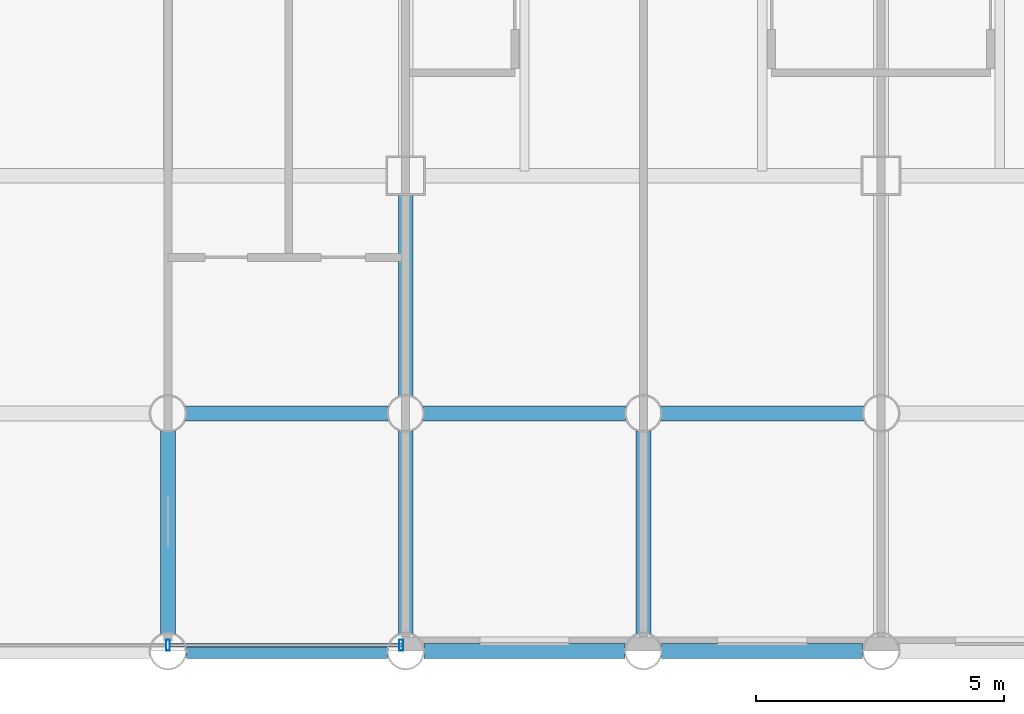
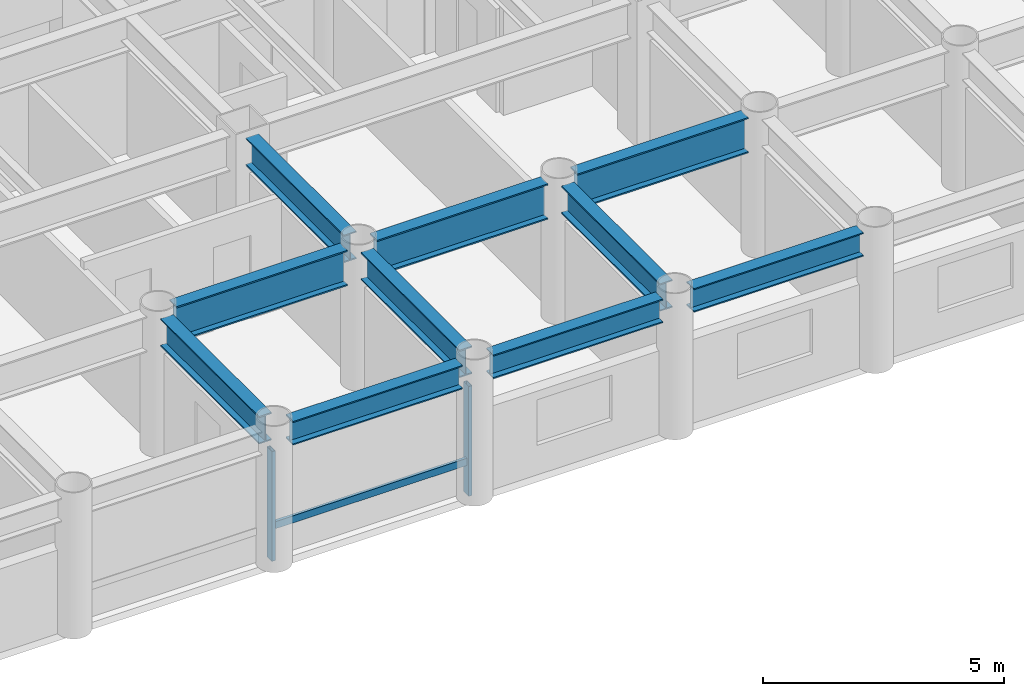
# One storey, part 6 of 22: 10 beams, 3 members, 1 element without a shape of its own.
"""IFC4 building model written with IfcOpenShell, lengths in metres."""

import ifcopenshell
import ifcopenshell.guid

model = None  # the IFC model being written
_history = None  # IfcOwnerHistory: only IFC2X3 demands one
_inside = {}  # id of a spatial element -> (the spatial element, [elements in it])
_under = {}  # id of a project, library or spatial element -> (it, [spatial elements below it])
_declared = {}  # id of a project -> (the project, [libraries it declares])
_typed = {}  # id of a type object -> (the type object, [elements of that type])
_made_of = {}  # id of a material, layer set ... -> (it, [elements and type objects made of it])


def new_model(schema):
    """Start an empty IFC model of exactly this schema.

    Asked for "IFC4X3", IfcOpenShell would pick the latest addendum, in which some entities
    have other attributes; the version numbers below select the first issue.
    IFC2X3 requires an IfcOwnerHistory on every rooted entity: one is made here for all.
    """
    global model, _history
    if schema == "IFC4X3":
        model = ifcopenshell.file(schema_version=(4, 3, 0, 0))
    else:
        model = ifcopenshell.file(schema=schema)
    _inside.clear()
    _under.clear()
    _declared.clear()
    _typed.clear()
    _made_of.clear()
    _history = None
    if model.schema == "IFC2X3":
        org = make("IfcOrganization", Name="unknown")
        user = make(
            "IfcPersonAndOrganization",
            ThePerson=make("IfcPerson", FamilyName="unknown"),
            TheOrganization=org,
        )
        app = make(
            "IfcApplication",
            ApplicationDeveloper=org,
            Version="unknown",
            ApplicationFullName="unknown",
            ApplicationIdentifier="unknown",
        )
        _history = make(
            "IfcOwnerHistory",
            OwningUser=user,
            OwningApplication=app,
            ChangeAction="ADDED",
            CreationDate=0,
        )
    return model


def make(cls, **values):
    """One entity of the class cls with the attributes given. An attribute that is None is left unset."""
    return model.create_entity(
        cls, **{name: value for name, value in values.items() if value is not None}
    )


def rooted(cls, **values):
    """An entity with a GlobalId (a new one), such as an element, a storey or a relation."""
    return make(cls, GlobalId=ifcopenshell.guid.new(), OwnerHistory=_history, **values)


def si_unit(unit_type, name, prefix=None):
    """IfcSIUnit, for example si_unit("LENGTHUNIT", "METRE", prefix="MILLI")."""
    return make("IfcSIUnit", UnitType=unit_type, Prefix=prefix, Name=name)


def assignment(units):
    """IfcUnitAssignment: the units of a project."""
    return None if units is None else make("IfcUnitAssignment", Units=units)


def point(xyz):
    """IfcCartesianPoint."""
    return None if xyz is None else make("IfcCartesianPoint", Coordinates=xyz)


def direction(xyz):
    """IfcDirection."""
    return None if xyz is None else make("IfcDirection", DirectionRatios=xyz)


def frame(location, z_axis=None, x_axis=None):
    """IfcAxis2Placement3D, a coordinate frame: its origin and axes. An axis left out is left unset."""
    return make(
        "IfcAxis2Placement3D",
        Location=point(location),
        Axis=direction(z_axis),
        RefDirection=direction(x_axis),
    )


def frame_2d(location, x_axis=None):
    """IfcAxis2Placement2D, a coordinate frame in the plane: its origin and x axis."""
    return make(
        "IfcAxis2Placement2D", Location=point(location), RefDirection=direction(x_axis)
    )


def origin():
    """The frame at (0, 0, 0) with its axes left unset."""
    return frame((0.0, 0.0, 0.0))


def origin_2d():
    """The frame at (0, 0) in the plane with its x axis left unset."""
    return frame_2d((0.0, 0.0))


def place(relative_to, where):
    """IfcLocalPlacement: puts the frame where relative to a parent placement (None: the world)."""
    return make(
        "IfcLocalPlacement", PlacementRelTo=relative_to, RelativePlacement=where
    )


def context(
    kind, dimensions, precision=None, world=None, true_north=None, identifier=None
):
    """IfcGeometricRepresentationContext, for example the 3D "Model" context."""
    return make(
        "IfcGeometricRepresentationContext",
        ContextIdentifier=identifier,
        ContextType=kind,
        CoordinateSpaceDimension=dimensions,
        Precision=precision,
        WorldCoordinateSystem=world,
        TrueNorth=true_north,
    )


def subcontext(parent, identifier, kind, view, scale=None):
    """IfcGeometricRepresentationSubContext, for example "Body" below "Model"."""
    return make(
        "IfcGeometricRepresentationSubContext",
        ContextIdentifier=identifier,
        ContextType=kind,
        ParentContext=parent,
        TargetScale=scale,
        TargetView=view,
    )


def project(units=None, contexts=None):
    """IfcProject with its units and contexts."""
    return rooted(
        "IfcProject",
        Name="project",
        RepresentationContexts=contexts,
        UnitsInContext=assignment(units),
    )


def spatial(cls, under=None, at=None, **own):
    """A site, building, storey or space (cls), placed at a placement, below another one or the project."""
    s = rooted(cls, ObjectPlacement=at, **own)
    if under is not None:
        _under.setdefault(under.id(), (under, []))[1].append(s)
    return s


def profile(cls, at=None, kind="AREA", **sizes):
    """A parametric profile (cls). Its sizes go by their IFC names, for example OverallWidth=200.0."""
    return make(cls, ProfileType=kind, Position=at, **sizes)


def hollow_rectangle(**sizes):
    """IfcRectangleHollowProfileDef."""
    return profile("IfcRectangleHollowProfileDef", **sizes)


def i_section(**sizes):
    """IfcIShapeProfileDef."""
    return profile("IfcIShapeProfileDef", **sizes)


def extrude(swept, where, along, depth):
    """IfcExtrudedAreaSolid: the profile swept, set in the frame where, extruded along a direction by depth."""
    return make(
        "IfcExtrudedAreaSolid",
        SweptArea=swept,
        Position=where,
        ExtrudedDirection=direction(along),
        Depth=depth,
    )


def shape(context_of_items, identifier, shape_type, items):
    """IfcShapeRepresentation: the items that make up one representation, for example the "Body"."""
    return make(
        "IfcShapeRepresentation",
        ContextOfItems=context_of_items,
        RepresentationIdentifier=identifier,
        RepresentationType=shape_type,
        Items=items,
    )


def material(Name=None, Category=None):
    """IfcMaterial."""
    return make("IfcMaterial", Name=Name, Category=Category)


def layer(
    of_material, thickness, ventilated=None, Name=None, Category=None, Priority=None
):
    """IfcMaterialLayer: one layer of a wall or slab, of a material (None: an air gap)."""
    return make(
        "IfcMaterialLayer",
        Material=of_material,
        LayerThickness=thickness,
        IsVentilated=ventilated,
        Name=Name,
        Category=Category,
        Priority=Priority,
    )


def layer_set(layers, Name=None):
    """IfcMaterialLayerSet."""
    return make("IfcMaterialLayerSet", MaterialLayers=layers, LayerSetName=Name)


def material_profile(
    of_material, cross_section, Name=None, Category=None, Priority=None
):
    """IfcMaterialProfile: a cross section and its material."""
    return make(
        "IfcMaterialProfile",
        Name=Name,
        Material=of_material,
        Profile=cross_section,
        Priority=Priority,
        Category=Category,
    )


def profile_set(profiles, Name=None, composite=None):
    """IfcMaterialProfileSet."""
    return make(
        "IfcMaterialProfileSet",
        Name=Name,
        MaterialProfiles=profiles,
        CompositeProfile=composite,
    )


def made_of(thing, what):
    """Note that an element or type object is made of a material, layer set ...; save() writes the relation."""
    if what is not None:
        _made_of.setdefault(what.id(), (what, []))[1].append(thing)
    return thing


def type_object(cls, material=None, **own):
    """A type object (cls), such as IfcWallType, which elements share."""
    return made_of(rooted(cls, **own), material)


def element(
    cls,
    number,
    at=None,
    inside=None,
    cuts=None,
    type_object=None,
    material=None,
    context=None,
    identifier="Body",
    shape_type=None,
    held_by="IfcProductDefinitionShape",
    body=None,
    shapes=None,
    **own,
):
    """One element of the class cls, such as IfcWall. Its Tag is "e" and its number.

    at: its placement. inside: the storey or other place that contains it. cuts: it is an
    opening in that element (IfcRelVoidsElement). A single representation is given by context,
    identifier, shape_type and body (its items); several are given by shapes. held_by: the class
    of the entity that holds the representations. save() writes the other relations.
    """
    e = rooted(cls, Tag="e%d" % number, ObjectPlacement=at, **own)
    if body is not None:
        shapes = [shape(context, identifier, shape_type, body)]
    if shapes is not None:
        e.Representation = make(held_by, Representations=shapes)
    if inside is not None:
        _inside.setdefault(inside.id(), (inside, []))[1].append(e)
    if cuts is not None:
        rooted(
            "IfcRelVoidsElement", RelatingBuildingElement=cuts, RelatedOpeningElement=e
        )
    if type_object is not None:
        _typed.setdefault(type_object.id(), (type_object, []))[1].append(e)
    return made_of(e, material)


def aggregate(whole, parts):
    """IfcRelAggregates: a whole, such as a stair, and the parts it consists of."""
    return rooted("IfcRelAggregates", RelatingObject=whole, RelatedObjects=parts)


def save(model, path):
    """Write the relations noted so far, then the file.

    IfcRelAggregates (storeys below a building ...), IfcRelContainedInSpatialStructure (elements
    in a storey), IfcRelDefinesByType, IfcRelAssociatesMaterial and IfcRelDeclares: one each for
    every whole, place, type object, material and project.
    """
    for whole, parts in _under.values():
        aggregate(whole, parts)
    for where, things in _inside.values():
        rooted(
            "IfcRelContainedInSpatialStructure",
            RelatedElements=things,
            RelatingStructure=where,
        )
    for kind, things in _typed.values():
        rooted("IfcRelDefinesByType", RelatedObjects=things, RelatingType=kind)
    for what, things in _made_of.values():
        rooted("IfcRelAssociatesMaterial", RelatedObjects=things, RelatingMaterial=what)
    for by, libraries in _declared.values():
        rooted("IfcRelDeclares", RelatingContext=by, RelatedDefinitions=libraries)
    model.write(path)


model = new_model("IFC4")

# Units and contexts
model_context = context("Model", 3, precision=1e-05, world=origin(), true_north=direction((0.0, 1.0)))
body_context = subcontext(model_context, "Body", "Model", "MODEL_VIEW")
ifc_project = project(units=[si_unit("LENGTHUNIT", "METRE"), si_unit("AREAUNIT", "SQUARE_METRE"), si_unit("VOLUMEUNIT", "CUBIC_METRE"), si_unit("PLANEANGLEUNIT", "RADIAN"), si_unit("MASSUNIT", "GRAM", prefix="KILO")], contexts=[model_context])

# Site, building, storey
site_placement = place(None, origin())
site = spatial("IfcSite", under=ifc_project, at=site_placement, CompositionType="ELEMENT")
building_placement = place(site_placement, origin())
building = spatial("IfcBuilding", under=site, at=building_placement, Name="Kallvorn Hotel Tower", CompositionType="ELEMENT")
storey_placement = place(building_placement, frame((0.0, 0.0, 48.5)))
storey = spatial("IfcBuildingStorey", under=building, at=storey_placement, Name="L10", CompositionType="ELEMENT", Elevation=48.5)

# Beams
ifc_material_1 = material(Name="Structural steel S355JR", Category="steel")
ifc_material_profile_1 = material_profile(ifc_material_1, i_section(OverallWidth=0.300048828125, OverallDepth=0.60009765625, WebThickness=0.015380859375, FlangeThickness=0.030029296875, at=origin_2d()), Name="HE 600 B")
ifc_profile_set_1 = profile_set([ifc_material_profile_1], Name="Structural steel S355JR")
beam_type_1 = type_object("IfcBeamType", Name="BM_HE600B", PredefinedType="SPANDREL", material=ifc_profile_set_1)
beam_1_placement = place(storey_placement, frame((0.37109375, -24.0, 3.219970703125), z_axis=(1.0, 0.0, 0.0), x_axis=(0.0, 1.0, 0.0)))
element("IfcBeam", 1, at=beam_1_placement, inside=storey, type_object=beam_type_1, Name="L11 Perimeter Spandrel 157", PredefinedType="SPANDREL", context=body_context, shape_type="SweptSolid", body=[
    extrude(i_section(OverallWidth=0.300048828125, OverallDepth=0.60009765625, WebThickness=0.015380859375, FlangeThickness=0.030029296875, at=origin_2d()), origin(), (0.0, 0.0, 1.0), 4.057861328125),
])
for number, where, z_axis, x_axis, name in (
    (2, (5.1708984375, -24.0, 3.219970703125), (1.0, 0.0, 0.0), (0.0, 1.0, 0.0), "L11 Perimeter Spandrel 158"),
    (3, (9.970947265625, -24.0, 3.219970703125), (1.0, 0.0, 0.0), (0.0, 1.0, 0.0), "L11 Perimeter Spandrel 159"),
):
    element("IfcBeam", number, at=place(storey_placement, frame(where, z_axis=z_axis, x_axis=x_axis)), inside=storey, type_object=beam_type_1, Name=name, PredefinedType="SPANDREL", context=body_context, shape_type="SweptSolid", body=[
        extrude(i_section(OverallWidth=0.300048828125, OverallDepth=0.60009765625, WebThickness=0.015380859375, FlangeThickness=0.030029296875, at=origin_2d()), origin(), (0.0, 0.0, 1.0), 4.05810546875),
    ])
ifc_material_2 = material(Name="Structural steel S355JR", Category="steel")
ifc_material_profile_2 = material_profile(ifc_material_2, i_section(OverallWidth=0.300048828125, OverallDepth=0.699951171875, WebThickness=0.01708984375, FlangeThickness=0.031982421875, at=origin_2d()), Name="HE 700 B")
ifc_profile_set_2 = profile_set([ifc_material_profile_2], Name="Structural steel S355JR")
beam_type_2 = type_object("IfcBeamType", Name="BM_HE700B", PredefinedType="BEAM", material=ifc_profile_set_2)
for number, where, z_axis, x_axis, name in (
    (4, (0.0, -23.64404296875, 3.169921875), (0.0, 1.0, 0.0), (-1.0, 0.0, 0.0), "L11 Primary Y-Girder 111"),
    (5, (4.800048828125, -23.64404296875, 3.169921875), (0.0, 1.0, 0.0), (-1.0, 0.0, 0.0), "L11 Primary Y-Girder 114"),
):
    element("IfcBeam", number, at=place(storey_placement, frame(where, z_axis=z_axis, x_axis=x_axis)), inside=storey, type_object=beam_type_2, Name=name, PredefinedType="BEAM", context=body_context, shape_type="SweptSolid", body=[
        extrude(i_section(OverallWidth=0.300048828125, OverallDepth=0.699951171875, WebThickness=0.01708984375, FlangeThickness=0.031982421875, at=origin_2d()), origin(), (0.0, 0.0, 1.0), 4.088134765625),
    ])
beam_2_placement = place(storey_placement, frame((4.800048828125, -18.843994140625, 3.169921875), z_axis=(0.0, 1.0, 0.0), x_axis=(-1.0, 0.0, 0.0)))
element("IfcBeam", 6, at=beam_2_placement, inside=storey, type_object=beam_type_2, Name="L11 Primary Y-Girder 115", PredefinedType="BEAM", context=body_context, shape_type="SweptSolid", body=[
    extrude(i_section(OverallWidth=0.300048828125, OverallDepth=0.699951171875, WebThickness=0.01708984375, FlangeThickness=0.031982421875, at=origin_2d()), origin(), (0.0, 0.0, 1.0), 4.069091796875),
])
beam_3_placement = place(storey_placement, frame((9.60009765625, -23.64404296875, 3.169921875), z_axis=(0.0, 1.0, 0.0), x_axis=(-1.0, 0.0, 0.0)))
element("IfcBeam", 7, at=beam_3_placement, inside=storey, type_object=beam_type_2, Name="L11 Primary Y-Girder 119", PredefinedType="BEAM", context=body_context, shape_type="SweptSolid", body=[
    extrude(i_section(OverallWidth=0.300048828125, OverallDepth=0.699951171875, WebThickness=0.01708984375, FlangeThickness=0.031982421875, at=origin_2d()), origin(), (0.0, 0.0, 1.0), 4.088134765625),
])
ifc_material_3 = material(Name="Structural steel S355JR", Category="steel")
ifc_material_profile_3 = material_profile(ifc_material_3, i_section(OverallWidth=0.300048828125, OverallDepth=0.89990234375, WebThickness=0.0185546875, FlangeThickness=0.034912109375, at=origin_2d()), Name="HE 900 B")
ifc_profile_set_3 = profile_set([ifc_material_profile_3], Name="Structural steel S355JR")
beam_type_3 = type_object("IfcBeamType", Name="BM_HE900B", PredefinedType="BEAM", material=ifc_profile_set_3)
beam_4_placement = place(storey_placement, frame((0.35595703125, -19.199951171875, 3.070068359375), z_axis=(1.0, 0.0, 0.0), x_axis=(0.0, 1.0, 0.0)))
element("IfcBeam", 8, at=beam_4_placement, inside=storey, type_object=beam_type_3, Name="L11 Primary X-Girder 08", PredefinedType="BEAM", context=body_context, shape_type="SweptSolid", body=[
    extrude(i_section(OverallWidth=0.300048828125, OverallDepth=0.89990234375, WebThickness=0.0185546875, FlangeThickness=0.034912109375, at=origin_2d()), origin(), (0.0, 0.0, 1.0), 4.088134765625),
])
for number, where, z_axis, x_axis, name in (
    (9, (5.156005859375, -19.199951171875, 3.070068359375), (1.0, 0.0, 0.0), (0.0, 1.0, 0.0), "L11 Primary X-Girder 09"),
    (10, (9.9560546875, -19.199951171875, 3.070068359375), (1.0, 0.0, 0.0), (0.0, 1.0, 0.0), "L11 Primary X-Girder 10"),
):
    element("IfcBeam", number, at=place(storey_placement, frame(where, z_axis=z_axis, x_axis=x_axis)), inside=storey, type_object=beam_type_3, Name=name, PredefinedType="BEAM", context=body_context, shape_type="SweptSolid", body=[
        extrude(i_section(OverallWidth=0.300048828125, OverallDepth=0.89990234375, WebThickness=0.0185546875, FlangeThickness=0.034912109375, at=origin_2d()), origin(), (0.0, 0.0, 1.0), 4.087890625),
    ])

# Curtain wall, members
ifc_material_4 = material(Name="Thermally broken black-anodised aluminium AA 6063-T6", Category="aluminium")
ifc_layer = layer(ifc_material_4, 0.199951171875)
ifc_layer_set = layer_set([ifc_layer], Name="CW_SYS_3_HOTEL_LOW")
curtain_wall_type = type_object("IfcCurtainWallType", Name="CW_SYS_3_HOTEL_LOW", PredefinedType="USERDEFINED", material=ifc_layer_set)
curtain_wall_placement = place(storey_placement, origin())
curtain_wall = element("IfcCurtainWall", 11, at=curtain_wall_placement, inside=storey, type_object=curtain_wall_type, Name="L10 Dark-Glass Curtain Wall CW-L10-SC", ObjectType="UNITISED CURTAIN WALL", PredefinedType="USERDEFINED")
ifc_material_5 = material(Name="Thermally broken black-anodised aluminium AA 6063-T6", Category="aluminium")
ifc_material_profile_4 = material_profile(ifc_material_5, hollow_rectangle(XDim=0.080078125, YDim=0.219970703125, WallThickness=0.0048828125, at=origin_2d()), Name="MUL 220x80")
ifc_profile_set_4 = profile_set([ifc_material_profile_4], Name="Thermally broken black-anodised aluminium AA 6063-T6")
member_type_1 = type_object("IfcMemberType", Name="CW_MULLION_220x80", PredefinedType="MULLION", material=ifc_profile_set_4)
member_1_placement = place(storey_placement, frame((0.0, -23.8798828125, 0.02001953125), z_axis=(0.0, 0.0, 1.0), x_axis=(1.0, 0.0, 0.0)))
member_1 = element("IfcMember", 12, at=member_1_placement, type_object=member_type_1, Name="CW-L10-SC Mullion 01", PredefinedType="MULLION", context=body_context, shape_type="SweptSolid", body=[
    extrude(hollow_rectangle(XDim=0.080078125, YDim=0.219970703125, WallThickness=0.0048828125, at=origin_2d()), origin(), (0.0, 0.0, 1.0), 2.780029296875),
])
member_2_placement = place(storey_placement, frame((4.7099609375, -23.8798828125, 0.02001953125), z_axis=(0.0, 0.0, 1.0), x_axis=(1.0, 0.0, 0.0)))
member_2 = element("IfcMember", 13, at=member_2_placement, type_object=member_type_1, Name="CW-L10-SC Mullion 02", PredefinedType="MULLION", context=body_context, shape_type="SweptSolid", body=[
    extrude(hollow_rectangle(XDim=0.080078125, YDim=0.219970703125, WallThickness=0.0048828125, at=origin_2d()), origin(), (0.0, 0.0, 1.0), 2.780029296875),
])
ifc_material_6 = material(Name="Thermally broken black-anodised aluminium AA 6063-T6", Category="aluminium")
ifc_material_profile_5 = material_profile(ifc_material_6, hollow_rectangle(XDim=0.070068359375, YDim=0.179931640625, WallThickness=0.00390625, at=origin_2d()), Name="TRN 180x70")
ifc_profile_set_5 = profile_set([ifc_material_profile_5], Name="Thermally broken black-anodised aluminium AA 6063-T6")
member_type_2 = type_object("IfcMemberType", Name="CW_TRANSOM_180x70", PredefinedType="USERDEFINED", material=ifc_profile_set_5)
member_3_placement = place(storey_placement, frame((0.0400390625, -23.8798828125, 0.85009765625), z_axis=(1.0, 0.0, 0.0), x_axis=(0.0, 1.0, 0.0)))
member_3 = element("IfcMember", 14, at=member_3_placement, type_object=member_type_2, Name="CW-L10-SC Transom 01M", ObjectType="TRANSOM", PredefinedType="USERDEFINED", context=body_context, shape_type="SweptSolid", body=[
    extrude(hollow_rectangle(XDim=0.070068359375, YDim=0.179931640625, WallThickness=0.00390625, at=origin_2d()), origin(), (0.0, 0.0, 1.0), 4.669921875),
])
aggregate(curtain_wall, [member_1, member_2, member_3])

save(model, "model.ifc")
